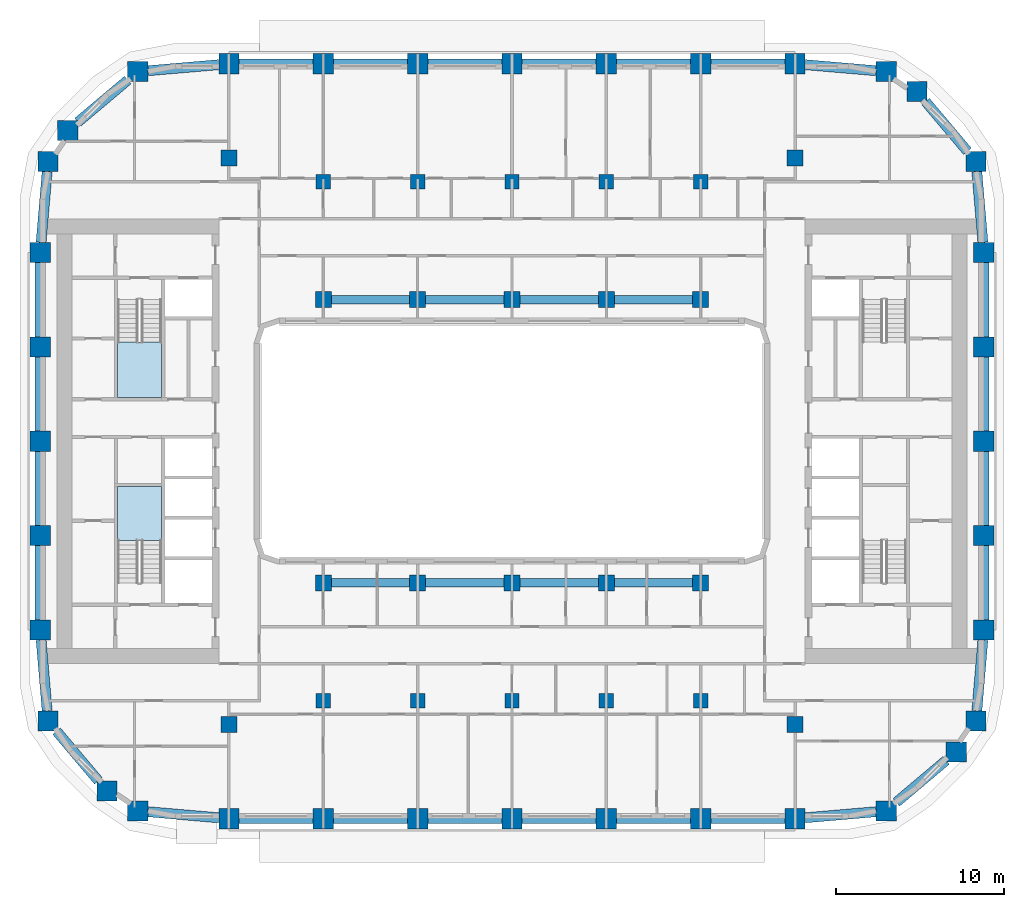
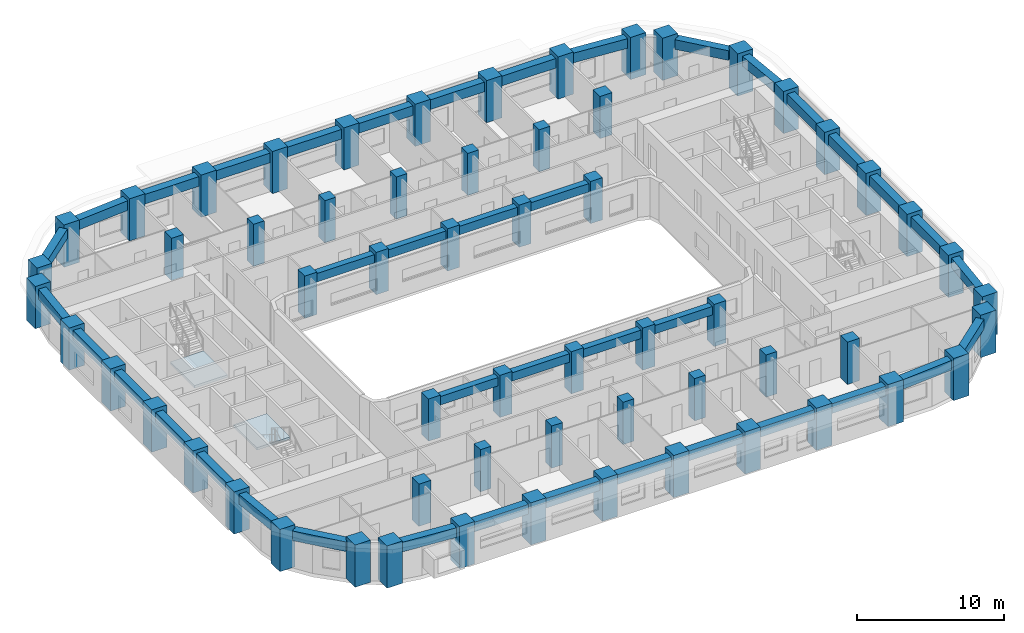
# One storey, part 1 of 23: 60 columns, 40 beams, 2 slabs, 2 elements without a shape of their own.
"""IFC4 building model written with IfcOpenShell, lengths in metres."""

from ifc_helpers import new_model, si_unit, direction, frame, origin, origin_2d, place, context, subcontext, project, spatial, polyline, rectangle, outline, extrude, material, layer, layer_set, material_profile, profile_set, type_object, element, aggregate, save


model = new_model("IFC4")

# Units and contexts
model_context = context("Model", 3, precision=1e-05, world=origin(), true_north=direction((0.0, 1.0)))
body_context = subcontext(model_context, "Body", "Model", "MODEL_VIEW")
ifc_project = project(units=[si_unit("LENGTHUNIT", "METRE"), si_unit("AREAUNIT", "SQUARE_METRE"), si_unit("VOLUMEUNIT", "CUBIC_METRE"), si_unit("PLANEANGLEUNIT", "RADIAN"), si_unit("MASSUNIT", "GRAM", prefix="KILO")], contexts=[model_context])

# Site, building, storey
site_placement = place(None, origin())
site = spatial("IfcSite", under=ifc_project, at=site_placement, CompositionType="ELEMENT")
building_placement = place(site_placement, origin())
building = spatial("IfcBuilding", under=site, at=building_placement, Name="Kiln Ring Residences", CompositionType="ELEMENT")
storey_placement = place(building_placement, frame((0.0, 0.0, 118.300048828125)))
storey = spatial("IfcBuildingStorey", under=building, at=storey_placement, Name="L30", CompositionType="ELEMENT", Elevation=118.300048828125)

# Columns
ifc_material_1 = material(Name="Concrete C80/95", Category="concrete")
ifc_material_profile_1 = material_profile(ifc_material_1, rectangle(XDim=0.85009765625, YDim=0.85009765625, at=origin_2d()), Name="RC850x850")
ifc_profile_set_1 = profile_set([ifc_material_profile_1], Name="Concrete C80/95")
column_type_1 = type_object("IfcColumnType", Name="Corridor column RC850x850 C80/95", PredefinedType="COLUMN", material=ifc_profile_set_1)
for number, where, z_axis, x_axis, name in (
    (1, (-11.199951171875, 15.39990234375, 0.0), (0.0, 0.0, 1.0), (1.0, 0.0, 0.0), "Corridor column L30 1"),
    (2, (-5.60009765625, 15.39990234375, 0.0), (0.0, 0.0, 1.0), (1.0, 0.0, 0.0), "Corridor column L30 2"),
    (3, (0.0, 15.39990234375, 0.0), (0.0, 0.0, 1.0), (1.0, 0.0, 0.0), "Corridor column L30 3"),
    (4, (5.60009765625, 15.39990234375, 0.0), (0.0, 0.0, 1.0), (1.0, 0.0, 0.0), "Corridor column L30 4"),
    (5, (11.199951171875, 15.39990234375, 0.0), (0.0, 0.0, 1.0), (1.0, 0.0, 0.0), "Corridor column L30 5"),
    (6, (-11.199951171875, -15.39990234375, 0.0), (0.0, 0.0, 1.0), (1.0, 0.0, 0.0), "Corridor column L30 6"),
    (7, (-5.60009765625, -15.39990234375, 0.0), (0.0, 0.0, 1.0), (1.0, 0.0, 0.0), "Corridor column L30 7"),
    (8, (0.0, -15.39990234375, 0.0), (0.0, 0.0, 1.0), (1.0, 0.0, 0.0), "Corridor column L30 8"),
    (9, (5.60009765625, -15.39990234375, 0.0), (0.0, 0.0, 1.0), (1.0, 0.0, 0.0), "Corridor column L30 9"),
    (10, (11.199951171875, -15.39990234375, 0.0), (0.0, 0.0, 1.0), (1.0, 0.0, 0.0), "Corridor column L30 10"),
):
    element("IfcColumn", number, at=place(storey_placement, frame(where, z_axis=z_axis, x_axis=x_axis)), inside=storey, type_object=column_type_1, Name=name, PredefinedType="COLUMN", context=body_context, shape_type="SweptSolid", body=[
        extrude(rectangle(XDim=0.85009765625, YDim=0.85009765625, at=origin_2d()), origin(), (0.0, 0.0, 1.0), 3.5),
    ])
ifc_material_2 = material(Name="Concrete C80/95", Category="concrete")
ifc_material_profile_2 = material_profile(ifc_material_2, rectangle(XDim=1.199951171875, YDim=1.199951171875, at=origin_2d()), Name="RC1200x1200")
ifc_profile_set_2 = profile_set([ifc_material_profile_2], Name="Concrete C80/95")
column_type_2 = type_object("IfcColumnType", Name="Perimeter column RC1200x1200 C80/95", PredefinedType="COLUMN", material=ifc_profile_set_2)
for number, where, z_axis, x_axis, name in (
    (11, (-22.208740234375, -21.93798828125, 0.0), (0.0, 0.0, 1.0), (1.0, 0.0, 0.0), "Perimeter column L30 1"),
    (12, (-16.800048828125, -22.39990234375, 0.0), (0.0, 0.0, 1.0), (1.0, 0.0, 0.0), "Perimeter column L30 2"),
    (13, (-11.199951171875, -22.39990234375, 0.0), (0.0, 0.0, 1.0), (1.0, 0.0, 0.0), "Perimeter column L30 3"),
    (14, (-5.60009765625, -22.39990234375, 0.0), (0.0, 0.0, 1.0), (1.0, 0.0, 0.0), "Perimeter column L30 4"),
    (15, (0.0, -22.39990234375, 0.0), (0.0, 0.0, 1.0), (1.0, 0.0, 0.0), "Perimeter column L30 5"),
    (16, (5.60009765625, -22.39990234375, 0.0), (0.0, 0.0, 1.0), (1.0, 0.0, 0.0), "Perimeter column L30 6"),
    (17, (11.199951171875, -22.39990234375, 0.0), (0.0, 0.0, 1.0), (1.0, 0.0, 0.0), "Perimeter column L30 7"),
    (18, (16.800048828125, -22.39990234375, 0.0), (0.0, 0.0, 1.0), (1.0, 0.0, 0.0), "Perimeter column L30 8"),
    (19, (22.208740234375, -21.93798828125, 0.0), (0.0, 0.0, 1.0), (1.0, 0.0, 0.0), "Perimeter column L30 9"),
    (20, (26.35986328125, -18.440185546875, 0.0), (0.0, 0.0, 1.0), (1.0, 0.0, 0.0), "Perimeter column L30 10"),
    (21, (27.5380859375, -16.608642578125, 0.0), (0.0, 0.0, 1.0), (1.0, 0.0, 0.0), "Perimeter column L30 11"),
    (22, (28.0, -11.199951171875, 0.0), (0.0, 0.0, 1.0), (1.0, 0.0, 0.0), "Perimeter column L30 12"),
    (23, (28.0, -5.60009765625, 0.0), (0.0, 0.0, 1.0), (1.0, 0.0, 0.0), "Perimeter column L30 13"),
    (24, (28.0, 0.0, 0.0), (0.0, 0.0, 1.0), (1.0, 0.0, 0.0), "Perimeter column L30 14"),
    (25, (28.0, 5.60009765625, 0.0), (0.0, 0.0, 1.0), (1.0, 0.0, 0.0), "Perimeter column L30 15"),
    (26, (28.0, 11.199951171875, 0.0), (0.0, 0.0, 1.0), (1.0, 0.0, 0.0), "Perimeter column L30 16"),
    (27, (27.5380859375, 16.608642578125, 0.0), (0.0, 0.0, 1.0), (1.0, 0.0, 0.0), "Perimeter column L30 17"),
    (28, (24.040283203125, 20.759765625, 0.0), (0.0, 0.0, 1.0), (1.0, 0.0, 0.0), "Perimeter column L30 18"),
    (29, (22.208740234375, 21.93798828125, 0.0), (0.0, 0.0, 1.0), (1.0, 0.0, 0.0), "Perimeter column L30 19"),
    (30, (16.800048828125, 22.39990234375, 0.0), (0.0, 0.0, 1.0), (1.0, 0.0, 0.0), "Perimeter column L30 20"),
    (31, (11.199951171875, 22.39990234375, 0.0), (0.0, 0.0, 1.0), (1.0, 0.0, 0.0), "Perimeter column L30 21"),
    (32, (5.60009765625, 22.39990234375, 0.0), (0.0, 0.0, 1.0), (1.0, 0.0, 0.0), "Perimeter column L30 22"),
    (33, (0.0, 22.39990234375, 0.0), (0.0, 0.0, 1.0), (1.0, 0.0, 0.0), "Perimeter column L30 23"),
    (34, (-5.60009765625, 22.39990234375, 0.0), (0.0, 0.0, 1.0), (1.0, 0.0, 0.0), "Perimeter column L30 24"),
    (35, (-11.199951171875, 22.39990234375, 0.0), (0.0, 0.0, 1.0), (1.0, 0.0, 0.0), "Perimeter column L30 25"),
    (36, (-16.800048828125, 22.39990234375, 0.0), (0.0, 0.0, 1.0), (1.0, 0.0, 0.0), "Perimeter column L30 26"),
    (37, (-22.208740234375, 21.93798828125, 0.0), (0.0, 0.0, 1.0), (1.0, 0.0, 0.0), "Perimeter column L30 27"),
    (38, (-26.35986328125, 18.440185546875, 0.0), (0.0, 0.0, 1.0), (1.0, 0.0, 0.0), "Perimeter column L30 28"),
    (39, (-27.5380859375, 16.608642578125, 0.0), (0.0, 0.0, 1.0), (1.0, 0.0, 0.0), "Perimeter column L30 29"),
    (40, (-28.0, 11.199951171875, 0.0), (0.0, 0.0, 1.0), (1.0, 0.0, 0.0), "Perimeter column L30 30"),
    (41, (-28.0, 5.60009765625, 0.0), (0.0, 0.0, 1.0), (1.0, 0.0, 0.0), "Perimeter column L30 31"),
    (42, (-28.0, 0.0, 0.0), (0.0, 0.0, 1.0), (1.0, 0.0, 0.0), "Perimeter column L30 32"),
    (43, (-28.0, -5.60009765625, 0.0), (0.0, 0.0, 1.0), (1.0, 0.0, 0.0), "Perimeter column L30 33"),
    (44, (-28.0, -11.199951171875, 0.0), (0.0, 0.0, 1.0), (1.0, 0.0, 0.0), "Perimeter column L30 34"),
    (45, (-27.5380859375, -16.608642578125, 0.0), (0.0, 0.0, 1.0), (1.0, 0.0, 0.0), "Perimeter column L30 35"),
    (46, (-24.040283203125, -20.759765625, 0.0), (0.0, 0.0, 1.0), (1.0, 0.0, 0.0), "Perimeter column L30 36"),
):
    element("IfcColumn", number, at=place(storey_placement, frame(where, z_axis=z_axis, x_axis=x_axis)), inside=storey, type_object=column_type_2, Name=name, PredefinedType="COLUMN", context=body_context, shape_type="SweptSolid", body=[
        extrude(rectangle(XDim=1.199951171875, YDim=1.199951171875, at=origin_2d()), origin(), (0.0, 0.0, 1.0), 3.5),
    ])
ifc_material_3 = material(Name="Concrete C80/95", Category="concrete")
ifc_material_profile_3 = material_profile(ifc_material_3, rectangle(XDim=0.949951171875, YDim=0.949951171875, at=origin_2d()), Name="RC950x950")
ifc_profile_set_3 = profile_set([ifc_material_profile_3], Name="Concrete C80/95")
column_type_3 = type_object("IfcColumnType", Name="Ring column RC950x950 C80/95", PredefinedType="COLUMN", material=ifc_profile_set_3)
for number, where, z_axis, x_axis, name in (
    (47, (-16.800048828125, -16.800048828125, 0.0), (0.0, 0.0, 1.0), (1.0, 0.0, 0.0), "Ring column L30 1"),
    (48, (-16.800048828125, 16.800048828125, 0.0), (0.0, 0.0, 1.0), (1.0, 0.0, 0.0), "Ring column L30 2"),
    (49, (-11.199951171875, -8.39990234375, 0.0), (0.0, 0.0, 1.0), (1.0, 0.0, 0.0), "Ring column L30 3"),
    (50, (-11.199951171875, 8.39990234375, 0.0), (0.0, 0.0, 1.0), (1.0, 0.0, 0.0), "Ring column L30 4"),
    (51, (-5.60009765625, -8.39990234375, 0.0), (0.0, 0.0, 1.0), (1.0, 0.0, 0.0), "Ring column L30 5"),
    (52, (-5.60009765625, 8.39990234375, 0.0), (0.0, 0.0, 1.0), (1.0, 0.0, 0.0), "Ring column L30 6"),
    (53, (0.0, -8.39990234375, 0.0), (0.0, 0.0, 1.0), (1.0, 0.0, 0.0), "Ring column L30 7"),
    (54, (0.0, 8.39990234375, 0.0), (0.0, 0.0, 1.0), (1.0, 0.0, 0.0), "Ring column L30 8"),
    (55, (5.60009765625, -8.39990234375, 0.0), (0.0, 0.0, 1.0), (1.0, 0.0, 0.0), "Ring column L30 9"),
    (56, (5.60009765625, 8.39990234375, 0.0), (0.0, 0.0, 1.0), (1.0, 0.0, 0.0), "Ring column L30 10"),
    (57, (11.199951171875, -8.39990234375, 0.0), (0.0, 0.0, 1.0), (1.0, 0.0, 0.0), "Ring column L30 11"),
    (58, (11.199951171875, 8.39990234375, 0.0), (0.0, 0.0, 1.0), (1.0, 0.0, 0.0), "Ring column L30 12"),
    (59, (16.800048828125, -16.800048828125, 0.0), (0.0, 0.0, 1.0), (1.0, 0.0, 0.0), "Ring column L30 13"),
    (60, (16.800048828125, 16.800048828125, 0.0), (0.0, 0.0, 1.0), (1.0, 0.0, 0.0), "Ring column L30 14"),
):
    element("IfcColumn", number, at=place(storey_placement, frame(where, z_axis=z_axis, x_axis=x_axis)), inside=storey, type_object=column_type_3, Name=name, PredefinedType="COLUMN", context=body_context, shape_type="SweptSolid", body=[
        extrude(rectangle(XDim=0.949951171875, YDim=0.949951171875, at=origin_2d()), origin(), (0.0, 0.0, 1.0), 3.5),
    ])

# Beams
ifc_material_4 = material(Name="Concrete C50/60", Category="concrete")
ifc_material_profile_4 = material_profile(ifc_material_4, rectangle(XDim=0.5, YDim=0.699951171875, at=origin_2d()), Name="RC500x700")
ifc_profile_set_4 = profile_set([ifc_material_profile_4], Name="Concrete C50/60")
beam_type_1 = type_object("IfcBeamType", Name="Ring beam RC500x700 C50/60", PredefinedType="BEAM", material=ifc_profile_set_4)
beam_1_placement = place(storey_placement, frame((-10.72509765625, -8.39990234375, 2.849853515625), z_axis=(1.0, 0.0, 0.0), x_axis=(0.0, 1.0, 0.0)))
element("IfcBeam", 61, at=beam_1_placement, inside=storey, type_object=beam_type_1, Name="Ring beam L30 1", PredefinedType="BEAM", context=body_context, shape_type="SweptSolid", body=[
    extrude(rectangle(XDim=0.5, YDim=0.699951171875, at=origin_2d()), origin(), (0.0, 0.0, 1.0), 4.650146484375),
])
for number, where, z_axis, x_axis, name in (
    (62, (-5.125, -8.39990234375, 2.849853515625), (1.0, 0.0, 0.0), (0.0, 1.0, 0.0), "Ring beam L30 2"),
    (63, (0.47509765625, -8.39990234375, 2.849853515625), (1.0, 0.0, 0.0), (0.0, 1.0, 0.0), "Ring beam L30 3"),
):
    element("IfcBeam", number, at=place(storey_placement, frame(where, z_axis=z_axis, x_axis=x_axis)), inside=storey, type_object=beam_type_1, Name=name, PredefinedType="BEAM", context=body_context, shape_type="SweptSolid", body=[
        extrude(rectangle(XDim=0.5, YDim=0.699951171875, at=origin_2d()), origin(), (0.0, 0.0, 1.0), 4.64990234375),
    ])
for number, where, z_axis, x_axis, name in (
    (64, (6.074951171875, -8.39990234375, 2.849853515625), (1.0, 0.0, 0.0), (0.0, 1.0, 0.0), "Ring beam L30 4"),
    (65, (-10.72509765625, 8.39990234375, 2.849853515625), (1.0, 0.0, 0.0), (0.0, 1.0, 0.0), "Ring beam L30 5"),
):
    element("IfcBeam", number, at=place(storey_placement, frame(where, z_axis=z_axis, x_axis=x_axis)), inside=storey, type_object=beam_type_1, Name=name, PredefinedType="BEAM", context=body_context, shape_type="SweptSolid", body=[
        extrude(rectangle(XDim=0.5, YDim=0.699951171875, at=origin_2d()), origin(), (0.0, 0.0, 1.0), 4.650146484375),
    ])
for number, where, z_axis, x_axis, name in (
    (66, (-5.125, 8.39990234375, 2.849853515625), (1.0, 0.0, 0.0), (0.0, 1.0, 0.0), "Ring beam L30 6"),
    (67, (0.47509765625, 8.39990234375, 2.849853515625), (1.0, 0.0, 0.0), (0.0, 1.0, 0.0), "Ring beam L30 7"),
):
    element("IfcBeam", number, at=place(storey_placement, frame(where, z_axis=z_axis, x_axis=x_axis)), inside=storey, type_object=beam_type_1, Name=name, PredefinedType="BEAM", context=body_context, shape_type="SweptSolid", body=[
        extrude(rectangle(XDim=0.5, YDim=0.699951171875, at=origin_2d()), origin(), (0.0, 0.0, 1.0), 4.64990234375),
    ])
beam_2_placement = place(storey_placement, frame((6.074951171875, 8.39990234375, 2.849853515625), z_axis=(1.0, 0.0, 0.0), x_axis=(0.0, 1.0, 0.0)))
element("IfcBeam", 68, at=beam_2_placement, inside=storey, type_object=beam_type_1, Name="Ring beam L30 8", PredefinedType="BEAM", context=body_context, shape_type="SweptSolid", body=[
    extrude(rectangle(XDim=0.5, YDim=0.699951171875, at=origin_2d()), origin(), (0.0, 0.0, 1.0), 4.650146484375),
])
ifc_material_5 = material(Name="Concrete C50/60", Category="concrete")
ifc_material_profile_5 = material_profile(ifc_material_5, rectangle(XDim=0.60009765625, YDim=0.800048828125, at=origin_2d()), Name="RC600x800")
ifc_profile_set_5 = profile_set([ifc_material_profile_5], Name="Concrete C50/60")
beam_type_2 = type_object("IfcBeamType", Name="Spandrel beam RC600x800 C50/60", PredefinedType="SPANDREL", material=ifc_profile_set_5)
beam_3_placement = place(storey_placement, frame((-21.608642578125, -21.9892578125, 2.800048828125), z_axis=(0.996369376645, -0.085135570033, 0.0), x_axis=(0.085135570033, 0.996369376645, 0.0)))
element("IfcBeam", 69, at=beam_3_placement, inside=storey, type_object=beam_type_2, Name="Spandrel beam L30 1", PredefinedType="SPANDREL", context=body_context, shape_type="SweptSolid", body=[
    extrude(rectangle(XDim=0.60009765625, YDim=0.800048828125, at=origin_2d()), origin(), (0.0, 0.0, 1.0), 4.22412109375),
])
beam_4_placement = place(storey_placement, frame((-16.199951171875, -22.39990234375, 2.800048828125), z_axis=(1.0, 0.0, 0.0), x_axis=(0.0, 1.0, 0.0)))
element("IfcBeam", 70, at=beam_4_placement, inside=storey, type_object=beam_type_2, Name="Spandrel beam L30 2", PredefinedType="SPANDREL", context=body_context, shape_type="SweptSolid", body=[
    extrude(rectangle(XDim=0.60009765625, YDim=0.800048828125, at=origin_2d()), origin(), (0.0, 0.0, 1.0), 4.39990234375),
])
beam_5_placement = place(storey_placement, frame((-10.60009765625, -22.39990234375, 2.800048828125), z_axis=(1.0, 0.0, 0.0), x_axis=(0.0, 1.0, 0.0)))
element("IfcBeam", 71, at=beam_5_placement, inside=storey, type_object=beam_type_2, Name="Spandrel beam L30 3", PredefinedType="SPANDREL", context=body_context, shape_type="SweptSolid", body=[
    extrude(rectangle(XDim=0.60009765625, YDim=0.800048828125, at=origin_2d()), origin(), (0.0, 0.0, 1.0), 4.400146484375),
])
for number, where, z_axis, x_axis, name in (
    (72, (-5.0, -22.39990234375, 2.800048828125), (1.0, 0.0, 0.0), (0.0, 1.0, 0.0), "Spandrel beam L30 4"),
    (73, (0.60009765625, -22.39990234375, 2.800048828125), (1.0, 0.0, 0.0), (0.0, 1.0, 0.0), "Spandrel beam L30 5"),
):
    element("IfcBeam", number, at=place(storey_placement, frame(where, z_axis=z_axis, x_axis=x_axis)), inside=storey, type_object=beam_type_2, Name=name, PredefinedType="SPANDREL", context=body_context, shape_type="SweptSolid", body=[
        extrude(rectangle(XDim=0.60009765625, YDim=0.800048828125, at=origin_2d()), origin(), (0.0, 0.0, 1.0), 4.39990234375),
    ])
beam_6_placement = place(storey_placement, frame((6.199951171875, -22.39990234375, 2.800048828125), z_axis=(1.0, 0.0, 0.0), x_axis=(0.0, 1.0, 0.0)))
element("IfcBeam", 74, at=beam_6_placement, inside=storey, type_object=beam_type_2, Name="Spandrel beam L30 6", PredefinedType="SPANDREL", context=body_context, shape_type="SweptSolid", body=[
    extrude(rectangle(XDim=0.60009765625, YDim=0.800048828125, at=origin_2d()), origin(), (0.0, 0.0, 1.0), 4.400146484375),
])
beam_7_placement = place(storey_placement, frame((11.800048828125, -22.39990234375, 2.800048828125), z_axis=(1.0, 0.0, 0.0), x_axis=(0.0, 1.0, 0.0)))
element("IfcBeam", 75, at=beam_7_placement, inside=storey, type_object=beam_type_2, Name="Spandrel beam L30 7", PredefinedType="SPANDREL", context=body_context, shape_type="SweptSolid", body=[
    extrude(rectangle(XDim=0.60009765625, YDim=0.800048828125, at=origin_2d()), origin(), (0.0, 0.0, 1.0), 4.39990234375),
])
beam_8_placement = place(storey_placement, frame((17.39990234375, -22.348876953125, 2.800048828125), z_axis=(0.996369376645, 0.085135570033, 0.0), x_axis=(-0.085135570033, 0.996369376645, 0.0)))
element("IfcBeam", 76, at=beam_8_placement, inside=storey, type_object=beam_type_2, Name="Spandrel beam L30 8", PredefinedType="SPANDREL", context=body_context, shape_type="SweptSolid", body=[
    extrude(rectangle(XDim=0.60009765625, YDim=0.800048828125, at=origin_2d()), origin(), (0.0, 0.0, 1.0), 4.22412109375),
])
beam_9_placement = place(storey_placement, frame((22.80859375, -21.4326171875, 2.800048828125), z_axis=(0.764704456802, 0.644381171161, 0.0), x_axis=(-0.644381171161, 0.764704456802, 0.0)))
element("IfcBeam", 77, at=beam_9_placement, inside=storey, type_object=beam_type_2, Name="Spandrel beam L30 9", PredefinedType="SPANDREL", context=body_context, shape_type="SweptSolid", body=[
    extrude(rectangle(XDim=0.60009765625, YDim=0.800048828125, at=origin_2d()), origin(), (0.0, 0.0, 1.0), 3.859130859375),
])
beam_10_placement = place(storey_placement, frame((27.58935546875, -16.0087890625, 2.800048828125), z_axis=(0.085078191129, 0.996374277766, 0.0), x_axis=(-0.996374277766, 0.085078191129, 0.0)))
element("IfcBeam", 78, at=beam_10_placement, inside=storey, type_object=beam_type_2, Name="Spandrel beam L30 10", PredefinedType="SPANDREL", context=body_context, shape_type="SweptSolid", body=[
    extrude(rectangle(XDim=0.60009765625, YDim=0.800048828125, at=origin_2d()), origin(), (0.0, 0.0, 1.0), 4.22412109375),
])
beam_11_placement = place(storey_placement, frame((28.0, -10.60009765625, 2.800048828125), z_axis=(0.0, 1.0, 0.0), x_axis=(-1.0, 0.0, 0.0)))
element("IfcBeam", 79, at=beam_11_placement, inside=storey, type_object=beam_type_2, Name="Spandrel beam L30 11", PredefinedType="SPANDREL", context=body_context, shape_type="SweptSolid", body=[
    extrude(rectangle(XDim=0.60009765625, YDim=0.800048828125, at=origin_2d()), origin(), (0.0, 0.0, 1.0), 4.400146484375),
])
for number, where, z_axis, x_axis, name in (
    (80, (28.0, -5.0, 2.800048828125), (0.0, 1.0, 0.0), (-1.0, 0.0, 0.0), "Spandrel beam L30 12"),
    (81, (28.0, 0.60009765625, 2.800048828125), (0.0, 1.0, 0.0), (-1.0, 0.0, 0.0), "Spandrel beam L30 13"),
):
    element("IfcBeam", number, at=place(storey_placement, frame(where, z_axis=z_axis, x_axis=x_axis)), inside=storey, type_object=beam_type_2, Name=name, PredefinedType="SPANDREL", context=body_context, shape_type="SweptSolid", body=[
        extrude(rectangle(XDim=0.60009765625, YDim=0.800048828125, at=origin_2d()), origin(), (0.0, 0.0, 1.0), 4.39990234375),
    ])
beam_12_placement = place(storey_placement, frame((28.0, 6.199951171875, 2.800048828125), z_axis=(0.0, 1.0, 0.0), x_axis=(-1.0, 0.0, 0.0)))
element("IfcBeam", 82, at=beam_12_placement, inside=storey, type_object=beam_type_2, Name="Spandrel beam L30 14", PredefinedType="SPANDREL", context=body_context, shape_type="SweptSolid", body=[
    extrude(rectangle(XDim=0.60009765625, YDim=0.800048828125, at=origin_2d()), origin(), (0.0, 0.0, 1.0), 4.400146484375),
])
beam_13_placement = place(storey_placement, frame((27.94873046875, 11.800048828125, 2.800048828125), z_axis=(-0.085078191129, 0.996374277766, 0.0), x_axis=(-0.996374277766, -0.085078191129, 0.0)))
element("IfcBeam", 83, at=beam_13_placement, inside=storey, type_object=beam_type_2, Name="Spandrel beam L30 15", PredefinedType="SPANDREL", context=body_context, shape_type="SweptSolid", body=[
    extrude(rectangle(XDim=0.60009765625, YDim=0.800048828125, at=origin_2d()), origin(), (0.0, 0.0, 1.0), 4.22412109375),
])
beam_14_placement = place(storey_placement, frame((27.032470703125, 17.208740234375, 2.800048828125), z_axis=(-0.644344175314, 0.764735629965, 0.0), x_axis=(-0.764735629965, -0.644344175314, 0.0)))
element("IfcBeam", 84, at=beam_14_placement, inside=storey, type_object=beam_type_2, Name="Spandrel beam L30 16", PredefinedType="SPANDREL", context=body_context, shape_type="SweptSolid", body=[
    extrude(rectangle(XDim=0.60009765625, YDim=0.800048828125, at=origin_2d()), origin(), (0.0, 0.0, 1.0), 3.859130859375),
])
beam_15_placement = place(storey_placement, frame((21.608642578125, 21.9892578125, 2.800048828125), z_axis=(-0.996369376645, 0.085135570033, 0.0), x_axis=(-0.085135570033, -0.996369376645, 0.0)))
element("IfcBeam", 85, at=beam_15_placement, inside=storey, type_object=beam_type_2, Name="Spandrel beam L30 17", PredefinedType="SPANDREL", context=body_context, shape_type="SweptSolid", body=[
    extrude(rectangle(XDim=0.60009765625, YDim=0.800048828125, at=origin_2d()), origin(), (0.0, 0.0, 1.0), 4.22412109375),
])
beam_16_placement = place(storey_placement, frame((16.199951171875, 22.39990234375, 2.800048828125), z_axis=(-1.0, 0.0, 0.0), x_axis=(0.0, -1.0, 0.0)))
element("IfcBeam", 86, at=beam_16_placement, inside=storey, type_object=beam_type_2, Name="Spandrel beam L30 18", PredefinedType="SPANDREL", context=body_context, shape_type="SweptSolid", body=[
    extrude(rectangle(XDim=0.60009765625, YDim=0.800048828125, at=origin_2d()), origin(), (0.0, 0.0, 1.0), 4.39990234375),
])
beam_17_placement = place(storey_placement, frame((10.60009765625, 22.39990234375, 2.800048828125), z_axis=(-1.0, 0.0, 0.0), x_axis=(0.0, -1.0, 0.0)))
element("IfcBeam", 87, at=beam_17_placement, inside=storey, type_object=beam_type_2, Name="Spandrel beam L30 19", PredefinedType="SPANDREL", context=body_context, shape_type="SweptSolid", body=[
    extrude(rectangle(XDim=0.60009765625, YDim=0.800048828125, at=origin_2d()), origin(), (0.0, 0.0, 1.0), 4.400146484375),
])
for number, where, z_axis, x_axis, name in (
    (88, (5.0, 22.39990234375, 2.800048828125), (-1.0, 0.0, 0.0), (0.0, -1.0, 0.0), "Spandrel beam L30 20"),
    (89, (-0.60009765625, 22.39990234375, 2.800048828125), (-1.0, 0.0, 0.0), (0.0, -1.0, 0.0), "Spandrel beam L30 21"),
):
    element("IfcBeam", number, at=place(storey_placement, frame(where, z_axis=z_axis, x_axis=x_axis)), inside=storey, type_object=beam_type_2, Name=name, PredefinedType="SPANDREL", context=body_context, shape_type="SweptSolid", body=[
        extrude(rectangle(XDim=0.60009765625, YDim=0.800048828125, at=origin_2d()), origin(), (0.0, 0.0, 1.0), 4.39990234375),
    ])
beam_18_placement = place(storey_placement, frame((-6.199951171875, 22.39990234375, 2.800048828125), z_axis=(-1.0, 0.0, 0.0), x_axis=(0.0, -1.0, 0.0)))
element("IfcBeam", 90, at=beam_18_placement, inside=storey, type_object=beam_type_2, Name="Spandrel beam L30 22", PredefinedType="SPANDREL", context=body_context, shape_type="SweptSolid", body=[
    extrude(rectangle(XDim=0.60009765625, YDim=0.800048828125, at=origin_2d()), origin(), (0.0, 0.0, 1.0), 4.400146484375),
])
beam_19_placement = place(storey_placement, frame((-11.800048828125, 22.39990234375, 2.800048828125), z_axis=(-1.0, 0.0, 0.0), x_axis=(0.0, -1.0, 0.0)))
element("IfcBeam", 91, at=beam_19_placement, inside=storey, type_object=beam_type_2, Name="Spandrel beam L30 23", PredefinedType="SPANDREL", context=body_context, shape_type="SweptSolid", body=[
    extrude(rectangle(XDim=0.60009765625, YDim=0.800048828125, at=origin_2d()), origin(), (0.0, 0.0, 1.0), 4.39990234375),
])
beam_20_placement = place(storey_placement, frame((-17.39990234375, 22.348876953125, 2.800048828125), z_axis=(-0.996369376645, -0.085135570033, 0.0), x_axis=(0.085135570033, -0.996369376645, 0.0)))
element("IfcBeam", 92, at=beam_20_placement, inside=storey, type_object=beam_type_2, Name="Spandrel beam L30 24", PredefinedType="SPANDREL", context=body_context, shape_type="SweptSolid", body=[
    extrude(rectangle(XDim=0.60009765625, YDim=0.800048828125, at=origin_2d()), origin(), (0.0, 0.0, 1.0), 4.22412109375),
])
beam_21_placement = place(storey_placement, frame((-22.80859375, 21.4326171875, 2.800048828125), z_axis=(-0.764704456802, -0.644381171161, 0.0), x_axis=(0.644381171161, -0.764704456802, 0.0)))
element("IfcBeam", 93, at=beam_21_placement, inside=storey, type_object=beam_type_2, Name="Spandrel beam L30 25", PredefinedType="SPANDREL", context=body_context, shape_type="SweptSolid", body=[
    extrude(rectangle(XDim=0.60009765625, YDim=0.800048828125, at=origin_2d()), origin(), (0.0, 0.0, 1.0), 3.859130859375),
])
beam_22_placement = place(storey_placement, frame((-27.58935546875, 16.0087890625, 2.800048828125), z_axis=(-0.085078191129, -0.996374277766, 0.0), x_axis=(0.996374277766, -0.085078191129, 0.0)))
element("IfcBeam", 94, at=beam_22_placement, inside=storey, type_object=beam_type_2, Name="Spandrel beam L30 26", PredefinedType="SPANDREL", context=body_context, shape_type="SweptSolid", body=[
    extrude(rectangle(XDim=0.60009765625, YDim=0.800048828125, at=origin_2d()), origin(), (0.0, 0.0, 1.0), 4.22412109375),
])
beam_23_placement = place(storey_placement, frame((-28.0, 10.60009765625, 2.800048828125), z_axis=(0.0, -1.0, 0.0), x_axis=(1.0, 0.0, 0.0)))
element("IfcBeam", 95, at=beam_23_placement, inside=storey, type_object=beam_type_2, Name="Spandrel beam L30 27", PredefinedType="SPANDREL", context=body_context, shape_type="SweptSolid", body=[
    extrude(rectangle(XDim=0.60009765625, YDim=0.800048828125, at=origin_2d()), origin(), (0.0, 0.0, 1.0), 4.400146484375),
])
for number, where, z_axis, x_axis, name in (
    (96, (-28.0, 5.0, 2.800048828125), (0.0, -1.0, 0.0), (1.0, 0.0, 0.0), "Spandrel beam L30 28"),
    (97, (-28.0, -0.60009765625, 2.800048828125), (0.0, -1.0, 0.0), (1.0, 0.0, 0.0), "Spandrel beam L30 29"),
):
    element("IfcBeam", number, at=place(storey_placement, frame(where, z_axis=z_axis, x_axis=x_axis)), inside=storey, type_object=beam_type_2, Name=name, PredefinedType="SPANDREL", context=body_context, shape_type="SweptSolid", body=[
        extrude(rectangle(XDim=0.60009765625, YDim=0.800048828125, at=origin_2d()), origin(), (0.0, 0.0, 1.0), 4.39990234375),
    ])
beam_24_placement = place(storey_placement, frame((-28.0, -6.199951171875, 2.800048828125), z_axis=(0.0, -1.0, 0.0), x_axis=(1.0, 0.0, 0.0)))
element("IfcBeam", 98, at=beam_24_placement, inside=storey, type_object=beam_type_2, Name="Spandrel beam L30 30", PredefinedType="SPANDREL", context=body_context, shape_type="SweptSolid", body=[
    extrude(rectangle(XDim=0.60009765625, YDim=0.800048828125, at=origin_2d()), origin(), (0.0, 0.0, 1.0), 4.400146484375),
])
beam_25_placement = place(storey_placement, frame((-27.94873046875, -11.800048828125, 2.800048828125), z_axis=(0.085078191129, -0.996374277766, 0.0), x_axis=(0.996374277766, 0.085078191129, 0.0)))
element("IfcBeam", 99, at=beam_25_placement, inside=storey, type_object=beam_type_2, Name="Spandrel beam L30 31", PredefinedType="SPANDREL", context=body_context, shape_type="SweptSolid", body=[
    extrude(rectangle(XDim=0.60009765625, YDim=0.800048828125, at=origin_2d()), origin(), (0.0, 0.0, 1.0), 4.22412109375),
])
beam_26_placement = place(storey_placement, frame((-27.032470703125, -17.208740234375, 2.800048828125), z_axis=(0.644344175314, -0.764735629965, 0.0), x_axis=(0.764735629965, 0.644344175314, 0.0)))
element("IfcBeam", 100, at=beam_26_placement, inside=storey, type_object=beam_type_2, Name="Spandrel beam L30 32", PredefinedType="SPANDREL", context=body_context, shape_type="SweptSolid", body=[
    extrude(rectangle(XDim=0.60009765625, YDim=0.800048828125, at=origin_2d()), origin(), (0.0, 0.0, 1.0), 3.859130859375),
])

# Stair, slab
ifc_material_6 = material(Name="Concrete C40/50", Category="concrete")
stair_type = type_object("IfcStairType", Name="CORE-STAIR", PredefinedType="HALF_TURN_STAIR", material=ifc_material_6)
placement_1 = place(storey_placement, origin())
stair_1 = element("IfcStair", 101, at=placement_1, inside=storey, type_object=stair_type, Name="L30 stair W-STN", PredefinedType="HALF_TURN_STAIR")
ifc_material_7 = material(Name="Concrete C40/50", Category="concrete")
ifc_layer = layer(ifc_material_7, 0.199951171875)
ifc_layer_set = layer_set([ifc_layer], Name="CORE-STAIR-LANDING")
slab_type = type_object("IfcSlabType", Name="CORE-STAIR-LANDING", PredefinedType="LANDING", material=ifc_layer_set)
placement_2 = place(storey_placement, frame((0.0, 0.0, 1.550048828125)))
slab_1 = element("IfcSlab", 102, at=placement_2, type_object=slab_type, Name="W-STN landing 1", PredefinedType="LANDING", context=body_context, shape_type="SweptSolid", body=[
    extrude(outline(polyline([(-23.39990234375, 5.8798828125), (-23.39990234375, 2.60009765625), (-20.800048828125, 2.60009765625), (-20.800048828125, 5.8798828125), (-23.39990234375, 5.8798828125)])), origin(), (0.0, 0.0, 1.0), 0.199951171875),
])
aggregate(stair_1, [slab_1])

stair_2 = element("IfcStair", 103, at=placement_1, inside=storey, type_object=stair_type, Name="L30 stair W-STS", PredefinedType="HALF_TURN_STAIR")
slab_2 = element("IfcSlab", 104, at=placement_2, type_object=slab_type, Name="W-STS landing 1", PredefinedType="LANDING", context=body_context, shape_type="SweptSolid", body=[
    extrude(outline(polyline([(-20.800048828125, -5.8798828125), (-20.800048828125, -2.699951171875), (-23.39990234375, -2.699951171875), (-23.39990234375, -5.8798828125), (-20.800048828125, -5.8798828125)])), origin(), (0.0, 0.0, 1.0), 0.199951171875),
])
aggregate(stair_2, [slab_2])

save(model, "model.ifc")
